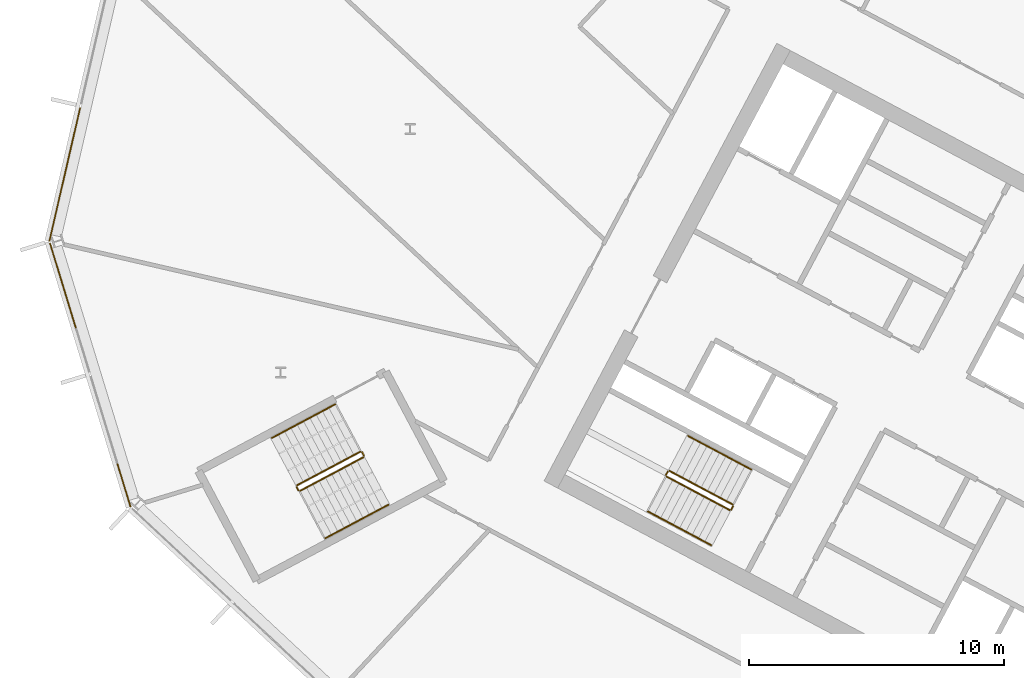
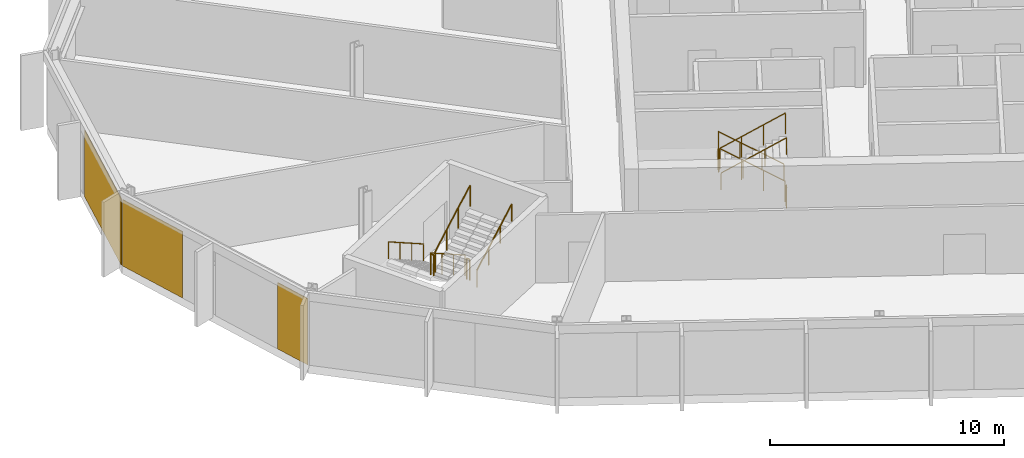
# One storey, part 24 of 31: 12 railings, 3 coverings, 2 elements without a shape of their own.
"""IFC4 building model written with IfcOpenShell, lengths in metres."""

from ifc_helpers import new_model, si_unit, direction, frame, origin, origin_2d, place, context, subcontext, project, spatial, polyline, rectangle, outline, extrude, material, layer, layer_set, type_object, element, aggregate, save


model = new_model("IFC4")

# Units and contexts
model_context = context("Model", 3, precision=1e-05, world=origin(), true_north=direction((0.0, 1.0)))
body_context = subcontext(model_context, "Body", "Model", "MODEL_VIEW")
ifc_project = project(units=[si_unit("LENGTHUNIT", "METRE"), si_unit("AREAUNIT", "SQUARE_METRE"), si_unit("VOLUMEUNIT", "CUBIC_METRE"), si_unit("PLANEANGLEUNIT", "RADIAN"), si_unit("MASSUNIT", "GRAM", prefix="KILO")], contexts=[model_context])

# Site, building, storey
site_placement = place(None, origin())
site = spatial("IfcSite", under=ifc_project, at=site_placement, CompositionType="ELEMENT")
building_placement = place(site_placement, origin())
building = spatial("IfcBuilding", under=site, at=building_placement, Name="Cormorant Relay Tower", CompositionType="ELEMENT")
storey_placement = place(building_placement, frame((0.0, 0.0, 189.60009765625)))
storey = spatial("IfcBuildingStorey", under=building, at=storey_placement, Name="L40", CompositionType="ELEMENT", Elevation=189.60009765625)

# Curtain wall, covering
ifc_material_1 = material(Name="Aluminium 6063-T6 anodised bronze", Category="aluminium")
ifc_layer_1 = layer(ifc_material_1, 0.199951171875)
ifc_layer_set_1 = layer_set([ifc_layer_1], Name="CW1 unitised bronze curtain wall with vertical fins")
curtain_wall_type = type_object("IfcCurtainWallType", Name="CW1 unitised bronze curtain wall with vertical fins", PredefinedType="NOTDEFINED", material=ifc_layer_set_1)
curtain_wall_1_placement = place(storey_placement, origin())
curtain_wall_1 = element("IfcCurtainWall", 1, at=curtain_wall_1_placement, inside=storey, type_object=curtain_wall_type, Name="CW1 curtain wall 13", PredefinedType="NOTDEFINED")
ifc_material_2 = material(Name="Pale bronze anodised aluminium insulated panel", Category="aluminium")
ifc_layer_2 = layer(ifc_material_2, 0.0400390625)
ifc_layer_set_2 = layer_set([ifc_layer_2], Name="CW1 pale bronze insulated panel 40")
covering_type = type_object("IfcCoveringType", Name="CW1 pale bronze insulated panel 40", PredefinedType="CLADDING", material=ifc_layer_set_2)
covering_1_placement = place(storey_placement, frame((-60.136474609375, 23.00927734375, 0.0), z_axis=(0.0, 0.0, 1.0), x_axis=(-0.224951054344, -0.974370064785, 0.0)))
covering_1 = element("IfcCovering", 2, at=covering_1_placement, type_object=covering_type, Name="CW1 panel S02", PredefinedType="CLADDING", context=body_context, shape_type="SweptSolid", body=[
    extrude(rectangle(XDim=5.360107421875, YDim=0.0400390625, at=origin_2d()), origin(), (0.0, 0.0, 1.0), 3.449951171875),
])
aggregate(curtain_wall_1, [covering_1])

# Curtain wall, coverings
curtain_wall_2_placement = place(storey_placement, origin())
curtain_wall_2 = element("IfcCurtainWall", 3, at=curtain_wall_2_placement, inside=storey, type_object=curtain_wall_type, Name="CW1 curtain wall 14", PredefinedType="NOTDEFINED")
covering_2_placement = place(storey_placement, frame((-60.20751953125, 18.6494140625, 0.0), z_axis=(0.0, 0.0, 1.0), x_axis=(0.292371704723, -0.956304755963, 0.0)))
covering_2 = element("IfcCovering", 4, at=covering_2_placement, type_object=covering_type, Name="CW1 panel S00", PredefinedType="CLADDING", context=body_context, shape_type="SweptSolid", body=[
    extrude(rectangle(XDim=3.485107421875, YDim=0.0400390625, at=origin_2d()), origin(), (0.0, 0.0, 1.0), 3.449951171875),
])
covering_3_placement = place(storey_placement, frame((-57.818115234375, 10.833740234375, 0.0), z_axis=(0.0, 0.0, 1.0), x_axis=(0.292371704723, -0.956304755963, 0.0)))
covering_3 = element("IfcCovering", 5, at=covering_3_placement, type_object=covering_type, Name="CW1 panel S03", PredefinedType="CLADDING", context=body_context, shape_type="SweptSolid", body=[
    extrude(rectangle(XDim=1.76025390625, YDim=0.0400390625, at=origin_2d()), origin(), (0.0, 0.0, 1.0), 3.449951171875),
])
aggregate(curtain_wall_2, [covering_2, covering_3])

# Railings
ifc_material_3 = material(Name="Steel ASTM A572 Grade 50 (Fy 345 MPa)", Category="steel")
railing_type_1 = type_object("IfcRailingType", Name="Stair guard 1100", PredefinedType="GUARDRAIL", material=ifc_material_3)
railing_1_placement = place(storey_placement, frame((-33.9921875, 10.08935546875, 0.17724609375)))
element("IfcRailing", 6, at=railing_1_placement, inside=storey, type_object=railing_type_1, Name="L40 A2 stair guard 1", PredefinedType="GUARDRAIL", context=body_context, shape_type="SweptSolid", body=[
    extrude(outline(polyline([(0.022216796875, 0.00927734375), (0.00927734375, 0.022216796875), (-0.00927734375, 0.022216796875), (-0.022216796875, 0.00927734375), (-0.022216796875, -0.00927734375), (-0.00927734375, -0.022216796875), (0.00927734375, -0.022216796875), (0.022216796875, -0.00927734375), (0.022216796875, 0.00927734375)])), frame((0.0, 0.0, 1.076171875), z_axis=(-0.746001213114, 0.396649272309, 0.534931345884), x_axis=(-0.469465464807, -0.882950835185, 0.0)), (0.0, 0.0, 1.0), 3.31396484375),
    extrude(outline(polyline([(0.019287109375, 0.008056640625), (0.008056640625, 0.019287109375), (-0.008056640625, 0.019287109375), (-0.019287109375, 0.008056640625), (-0.019287109375, -0.008056640625), (-0.008056640625, -0.019287109375), (0.008056640625, -0.019287109375), (0.019287109375, -0.008056640625), (0.019287109375, 0.008056640625)])), origin(), (0.0, 0.0, 1.0), 1.052001953125),
    extrude(outline(polyline([(0.019287109375, 0.008056640625), (0.008056640625, 0.019287109375), (-0.008056640625, 0.019287109375), (-0.019287109375, 0.008056640625), (-0.019287109375, -0.008056640625), (-0.008056640625, -0.019287109375), (0.008056640625, -0.019287109375), (0.019287109375, -0.008056640625), (0.019287109375, 0.008056640625)])), frame((-0.823974609375, 0.438232421875, 0.5908203125)), (0.0, 0.0, 1.0), 1.052001953125),
    extrude(outline(polyline([(0.019287109375, 0.008056640625), (0.008056640625, 0.019287109375), (-0.008056640625, 0.019287109375), (-0.019287109375, 0.008056640625), (-0.019287109375, -0.008056640625), (-0.008056640625, -0.019287109375), (0.008056640625, -0.019287109375), (0.019287109375, -0.008056640625), (0.019287109375, 0.008056640625)])), frame((-1.648193359375, 0.876220703125, 1.181884765625)), (0.0, 0.0, 1.0), 1.052001953125),
    extrude(outline(polyline([(0.019287109375, 0.008056640625), (0.008056640625, 0.019287109375), (-0.008056640625, 0.019287109375), (-0.019287109375, 0.008056640625), (-0.019287109375, -0.008056640625), (-0.008056640625, -0.019287109375), (0.008056640625, -0.019287109375), (0.019287109375, -0.008056640625), (0.019287109375, 0.008056640625)])), frame((-2.47216796875, 1.314453125, 1.772705078125)), (0.0, 0.0, 1.0), 1.052001953125),
])
railing_2_placement = place(storey_placement, frame((-36.531982421875, 11.38330078125, 1.949951171875)))
element("IfcRailing", 7, at=railing_2_placement, inside=storey, type_object=railing_type_1, Name="L40 A2 stair guard 2", PredefinedType="GUARDRAIL", context=body_context, shape_type="SweptSolid", body=[
    extrude(outline(polyline([(0.022216796875, 0.00927734375), (0.00927734375, 0.022216796875), (-0.00927734375, 0.022216796875), (-0.022216796875, 0.00927734375), (-0.022216796875, -0.00927734375), (-0.00927734375, -0.022216796875), (0.00927734375, -0.022216796875), (0.022216796875, -0.00927734375), (0.022216796875, 0.00927734375)])), frame((0.0, 0.0, 1.076171875), z_axis=(-0.469828648786, -0.882757634224, 0.0), x_axis=(0.882757634224, -0.469828648786, 0.0)), (0.0, 0.0, 1.0), 0.150146484375),
    extrude(outline(polyline([(0.019287109375, 0.008056640625), (0.008056640625, 0.019287109375), (-0.008056640625, 0.019287109375), (-0.019287109375, 0.008056640625), (-0.019287109375, -0.008056640625), (-0.008056640625, -0.019287109375), (0.008056640625, -0.019287109375), (0.019287109375, -0.008056640625), (0.019287109375, 0.008056640625)])), origin(), (0.0, 0.0, 1.0), 1.052001953125),
    extrude(outline(polyline([(0.019287109375, 0.008056640625), (0.008056640625, 0.019287109375), (-0.008056640625, 0.019287109375), (-0.019287109375, 0.008056640625), (-0.019287109375, -0.008056640625), (-0.008056640625, -0.019287109375), (0.008056640625, -0.019287109375), (0.019287109375, -0.008056640625), (0.019287109375, 0.008056640625)])), frame((-0.070556640625, -0.132568359375, 0.0)), (0.0, 0.0, 1.0), 1.052001953125),
])
railing_3_placement = place(storey_placement, frame((-36.581787109375, 11.18310546875, 2.127197265625)))
element("IfcRailing", 8, at=railing_3_placement, inside=storey, type_object=railing_type_1, Name="L40 A2 stair guard 3", PredefinedType="GUARDRAIL", context=body_context, shape_type="SweptSolid", body=[
    extrude(outline(polyline([(0.022216796875, 0.00927734375), (0.00927734375, 0.022216796875), (-0.00927734375, 0.022216796875), (-0.022216796875, 0.00927734375), (-0.022216796875, -0.00927734375), (-0.00927734375, -0.022216796875), (0.00927734375, -0.022216796875), (0.022216796875, -0.00927734375), (0.022216796875, 0.00927734375)])), frame((0.0, 0.0, 1.076171875), z_axis=(0.746001213114, -0.396649272309, 0.534931345884), x_axis=(0.469465464807, 0.882950835185, 0.0)), (0.0, 0.0, 1.0), 3.31396484375),
    extrude(outline(polyline([(0.019287109375, 0.008056640625), (0.008056640625, 0.019287109375), (-0.008056640625, 0.019287109375), (-0.019287109375, 0.008056640625), (-0.019287109375, -0.008056640625), (-0.008056640625, -0.019287109375), (0.008056640625, -0.019287109375), (0.019287109375, -0.008056640625), (0.019287109375, 0.008056640625)])), origin(), (0.0, 0.0, 1.0), 1.052001953125),
    extrude(outline(polyline([(0.019287109375, 0.008056640625), (0.008056640625, 0.019287109375), (-0.008056640625, 0.019287109375), (-0.019287109375, 0.008056640625), (-0.019287109375, -0.008056640625), (-0.008056640625, -0.019287109375), (0.008056640625, -0.019287109375), (0.019287109375, -0.008056640625), (0.019287109375, 0.008056640625)])), frame((0.823974609375, -0.438232421875, 0.5908203125)), (0.0, 0.0, 1.0), 1.052001953125),
    extrude(outline(polyline([(0.019287109375, 0.008056640625), (0.008056640625, 0.019287109375), (-0.008056640625, 0.019287109375), (-0.019287109375, 0.008056640625), (-0.019287109375, -0.008056640625), (-0.008056640625, -0.019287109375), (0.008056640625, -0.019287109375), (0.019287109375, -0.008056640625), (0.019287109375, 0.008056640625)])), frame((1.648193359375, -0.876220703125, 1.181884765625)), (0.0, 0.0, 1.0), 1.052001953125),
    extrude(outline(polyline([(0.019287109375, 0.008056640625), (0.008056640625, 0.019287109375), (-0.008056640625, 0.019287109375), (-0.019287109375, 0.008056640625), (-0.019287109375, -0.008056640625), (-0.008056640625, -0.019287109375), (0.008056640625, -0.019287109375), (0.019287109375, -0.008056640625), (0.019287109375, 0.008056640625)])), frame((2.47216796875, -1.314453125, 1.772705078125)), (0.0, 0.0, 1.0), 1.052001953125),
])
railing_4_placement = place(storey_placement, frame((-33.971435546875, 10.021728515625, 0.0)))
element("IfcRailing", 9, at=railing_4_placement, inside=storey, type_object=railing_type_1, Name="L40 A2 stair guard 4", PredefinedType="GUARDRAIL", context=body_context, shape_type="SweptSolid", body=[
    extrude(outline(polyline([(0.022216796875, 0.00927734375), (0.00927734375, 0.022216796875), (-0.00927734375, 0.022216796875), (-0.022216796875, 0.00927734375), (-0.022216796875, -0.00927734375), (-0.00927734375, -0.022216796875), (0.00927734375, -0.022216796875), (0.022216796875, -0.00927734375), (0.022216796875, 0.00927734375)])), frame((0.0, 0.0, 1.076171875), z_axis=(-0.470503732759, -0.882398003998, 0.0), x_axis=(0.882398003998, -0.470503732759, 0.0)), (0.0, 0.0, 1.0), 0.14990234375),
    extrude(outline(polyline([(0.019287109375, 0.008056640625), (0.008056640625, 0.019287109375), (-0.008056640625, 0.019287109375), (-0.019287109375, 0.008056640625), (-0.019287109375, -0.008056640625), (-0.008056640625, -0.019287109375), (0.008056640625, -0.019287109375), (0.019287109375, -0.008056640625), (0.019287109375, 0.008056640625)])), origin(), (0.0, 0.0, 1.0), 1.052001953125),
    extrude(outline(polyline([(0.019287109375, 0.008056640625), (0.008056640625, 0.019287109375), (-0.008056640625, 0.019287109375), (-0.019287109375, 0.008056640625), (-0.019287109375, -0.008056640625), (-0.008056640625, -0.019287109375), (0.008056640625, -0.019287109375), (0.019287109375, -0.008056640625), (0.019287109375, 0.008056640625)])), frame((-0.070556640625, -0.13232421875, 0.0)), (0.0, 0.0, 1.0), 1.052001953125),
])
railing_5_placement = place(storey_placement, frame((-48.5693359375, 12.155517578125, 0.17724609375)))
element("IfcRailing", 10, at=railing_5_placement, inside=storey, type_object=railing_type_1, Name="L40 RP1 stair guard 1", PredefinedType="GUARDRAIL", context=body_context, shape_type="SweptSolid", body=[
    extrude(outline(polyline([(0.022216796875, 0.00927734375), (0.00927734375, 0.022216796875), (-0.00927734375, 0.022216796875), (-0.022216796875, 0.00927734375), (-0.022216796875, -0.00927734375), (-0.00927734375, -0.022216796875), (0.00927734375, -0.022216796875), (0.022216796875, -0.00927734375), (0.022216796875, 0.00927734375)])), frame((0.0, 0.0, 1.076171875), z_axis=(-0.746012083385, -0.396689549623, 0.534886317514), x_axis=(0.469497295046, -0.882933910293, 0.0)), (0.0, 0.0, 1.0), 3.314208984375),
    extrude(outline(polyline([(0.019287109375, 0.008056640625), (0.008056640625, 0.019287109375), (-0.008056640625, 0.019287109375), (-0.019287109375, 0.008056640625), (-0.019287109375, -0.008056640625), (-0.008056640625, -0.019287109375), (0.008056640625, -0.019287109375), (0.019287109375, -0.008056640625), (0.019287109375, 0.008056640625)])), origin(), (0.0, 0.0, 1.0), 1.052001953125),
    extrude(outline(polyline([(0.019287109375, 0.008056640625), (0.008056640625, 0.019287109375), (-0.008056640625, 0.019287109375), (-0.019287109375, 0.008056640625), (-0.019287109375, -0.008056640625), (-0.008056640625, -0.019287109375), (0.008056640625, -0.019287109375), (0.019287109375, -0.008056640625), (0.019287109375, 0.008056640625)])), frame((-0.82421875, -0.438232421875, 0.5908203125)), (0.0, 0.0, 1.0), 1.052001953125),
    extrude(outline(polyline([(0.019287109375, 0.008056640625), (0.008056640625, 0.019287109375), (-0.008056640625, 0.019287109375), (-0.019287109375, 0.008056640625), (-0.019287109375, -0.008056640625), (-0.008056640625, -0.019287109375), (0.008056640625, -0.019287109375), (0.019287109375, -0.008056640625), (0.019287109375, 0.008056640625)])), frame((-1.648193359375, -0.87646484375, 1.181884765625)), (0.0, 0.0, 1.0), 1.052001953125),
    extrude(outline(polyline([(0.019287109375, 0.008056640625), (0.008056640625, 0.019287109375), (-0.008056640625, 0.019287109375), (-0.019287109375, 0.008056640625), (-0.019287109375, -0.008056640625), (-0.008056640625, -0.019287109375), (0.008056640625, -0.019287109375), (0.019287109375, -0.008056640625), (0.019287109375, 0.008056640625)])), frame((-2.472412109375, -1.314697265625, 1.772705078125)), (0.0, 0.0, 1.0), 1.052001953125),
])
railing_6_placement = place(storey_placement, frame((-51.062255859375, 10.773193359375, 1.949951171875)))
element("IfcRailing", 11, at=railing_6_placement, inside=storey, type_object=railing_type_1, Name="L40 RP1 stair guard 2", PredefinedType="GUARDRAIL", context=body_context, shape_type="SweptSolid", body=[
    extrude(outline(polyline([(0.022216796875, 0.00927734375), (0.00927734375, 0.022216796875), (-0.00927734375, 0.022216796875), (-0.022216796875, 0.00927734375), (-0.022216796875, -0.00927734375), (-0.00927734375, -0.022216796875), (0.00927734375, -0.022216796875), (0.022216796875, -0.00927734375), (0.022216796875, 0.00927734375)])), frame((0.0, 0.0, 1.076171875), z_axis=(0.469234640946, -0.883073525669, 0.0), x_axis=(0.883073525669, 0.469234640946, 0.0)), (0.0, 0.0, 1.0), 0.14990234375),
    extrude(outline(polyline([(0.019287109375, 0.008056640625), (0.008056640625, 0.019287109375), (-0.008056640625, 0.019287109375), (-0.019287109375, 0.008056640625), (-0.019287109375, -0.008056640625), (-0.008056640625, -0.019287109375), (0.008056640625, -0.019287109375), (0.019287109375, -0.008056640625), (0.019287109375, 0.008056640625)])), origin(), (0.0, 0.0, 1.0), 1.052001953125),
    extrude(outline(polyline([(0.019287109375, 0.008056640625), (0.008056640625, 0.019287109375), (-0.008056640625, 0.019287109375), (-0.019287109375, 0.008056640625), (-0.019287109375, -0.008056640625), (-0.008056640625, -0.019287109375), (0.008056640625, -0.019287109375), (0.019287109375, -0.008056640625), (0.019287109375, 0.008056640625)])), frame((0.0703125, -0.13232421875, 0.0)), (0.0, 0.0, 1.0), 1.052001953125),
])
railing_7_placement = place(storey_placement, frame((-50.92431640625, 10.6201171875, 2.127197265625)))
element("IfcRailing", 12, at=railing_7_placement, inside=storey, type_object=railing_type_1, Name="L40 RP1 stair guard 3", PredefinedType="GUARDRAIL", context=body_context, shape_type="SweptSolid", body=[
    extrude(outline(polyline([(0.022216796875, 0.00927734375), (0.00927734375, 0.022216796875), (-0.00927734375, 0.022216796875), (-0.022216796875, 0.00927734375), (-0.022216796875, -0.00927734375), (-0.00927734375, -0.022216796875), (0.00927734375, -0.022216796875), (0.022216796875, -0.00927734375), (0.022216796875, 0.00927734375)])), frame((0.0, 0.0, 1.076171875), z_axis=(0.746033882577, 0.396627473466, 0.534901947407), x_axis=(-0.469429322983, 0.882970050864, 0.0)), (0.0, 0.0, 1.0), 3.31396484375),
    extrude(outline(polyline([(0.019287109375, 0.008056640625), (0.008056640625, 0.019287109375), (-0.008056640625, 0.019287109375), (-0.019287109375, 0.008056640625), (-0.019287109375, -0.008056640625), (-0.008056640625, -0.019287109375), (0.008056640625, -0.019287109375), (0.019287109375, -0.008056640625), (0.019287109375, 0.008056640625)])), origin(), (0.0, 0.0, 1.0), 1.052001953125),
    extrude(outline(polyline([(0.019287109375, 0.008056640625), (0.008056640625, 0.019287109375), (-0.008056640625, 0.019287109375), (-0.019287109375, 0.008056640625), (-0.019287109375, -0.008056640625), (-0.008056640625, -0.019287109375), (0.008056640625, -0.019287109375), (0.019287109375, -0.008056640625), (0.019287109375, 0.008056640625)])), frame((0.82421875, 0.438232421875, 0.5908203125)), (0.0, 0.0, 1.0), 1.052001953125),
    extrude(outline(polyline([(0.019287109375, 0.008056640625), (0.008056640625, 0.019287109375), (-0.008056640625, 0.019287109375), (-0.019287109375, 0.008056640625), (-0.019287109375, -0.008056640625), (-0.008056640625, -0.019287109375), (0.008056640625, -0.019287109375), (0.019287109375, -0.008056640625), (0.019287109375, 0.008056640625)])), frame((1.648193359375, 0.876220703125, 1.181884765625)), (0.0, 0.0, 1.0), 1.052001953125),
    extrude(outline(polyline([(0.019287109375, 0.008056640625), (0.008056640625, 0.019287109375), (-0.008056640625, 0.019287109375), (-0.019287109375, 0.008056640625), (-0.019287109375, -0.008056640625), (-0.008056640625, -0.019287109375), (0.008056640625, -0.019287109375), (0.019287109375, -0.008056640625), (0.019287109375, 0.008056640625)])), frame((2.472412109375, 1.314453125, 1.772705078125)), (0.0, 0.0, 1.0), 1.052001953125),
])
railing_8_placement = place(storey_placement, frame((-48.501708984375, 12.134765625, 0.0)))
element("IfcRailing", 13, at=railing_8_placement, inside=storey, type_object=railing_type_1, Name="L40 RP1 stair guard 4", PredefinedType="GUARDRAIL", context=body_context, shape_type="SweptSolid", body=[
    extrude(outline(polyline([(0.022216796875, 0.00927734375), (0.00927734375, 0.022216796875), (-0.00927734375, 0.022216796875), (-0.022216796875, 0.00927734375), (-0.022216796875, -0.00927734375), (-0.00927734375, -0.022216796875), (0.00927734375, -0.022216796875), (0.022216796875, -0.00927734375), (0.022216796875, 0.00927734375)])), frame((0.0, 0.0, 1.076171875), z_axis=(0.46856034887, -0.8834314911, 0.0), x_axis=(0.8834314911, 0.46856034887, 0.0)), (0.0, 0.0, 1.0), 0.150146484375),
    extrude(outline(polyline([(0.019287109375, 0.008056640625), (0.008056640625, 0.019287109375), (-0.008056640625, 0.019287109375), (-0.019287109375, 0.008056640625), (-0.019287109375, -0.008056640625), (-0.008056640625, -0.019287109375), (0.008056640625, -0.019287109375), (0.019287109375, -0.008056640625), (0.019287109375, 0.008056640625)])), origin(), (0.0, 0.0, 1.0), 1.052001953125),
    extrude(outline(polyline([(0.019287109375, 0.008056640625), (0.008056640625, 0.019287109375), (-0.008056640625, 0.019287109375), (-0.019287109375, 0.008056640625), (-0.019287109375, -0.008056640625), (-0.008056640625, -0.019287109375), (0.008056640625, -0.019287109375), (0.019287109375, -0.008056640625), (0.019287109375, 0.008056640625)])), frame((0.0703125, -0.132568359375, 0.0)), (0.0, 0.0, 1.0), 1.052001953125),
])
ifc_material_4 = material(Name="Steel ASTM A572 Grade 50 (Fy 345 MPa)", Category="steel")
railing_type_2 = type_object("IfcRailingType", Name="Stair handrail 900", PredefinedType="HANDRAIL", material=ifc_material_4)
railing_9_placement = place(storey_placement, frame((-33.264404296875, 11.4580078125, 0.17724609375)))
element("IfcRailing", 14, at=railing_9_placement, inside=storey, type_object=railing_type_2, Name="L40 A2 stair handrail 1", PredefinedType="HANDRAIL", context=body_context, shape_type="SweptSolid", body=[
    extrude(outline(polyline([(0.022216796875, 0.00927734375), (0.00927734375, 0.022216796875), (-0.00927734375, 0.022216796875), (-0.022216796875, 0.00927734375), (-0.022216796875, -0.00927734375), (-0.00927734375, -0.022216796875), (0.00927734375, -0.022216796875), (0.022216796875, -0.00927734375), (0.022216796875, 0.00927734375)])), frame((0.0, 0.0, 0.8759765625), z_axis=(-0.746033882577, 0.396627473466, 0.534901947407), x_axis=(-0.469429322983, -0.882970050864, 0.0)), (0.0, 0.0, 1.0), 3.31396484375),
    extrude(outline(polyline([(0.019287109375, 0.008056640625), (0.008056640625, 0.019287109375), (-0.008056640625, 0.019287109375), (-0.019287109375, 0.008056640625), (-0.019287109375, -0.008056640625), (-0.008056640625, -0.019287109375), (0.008056640625, -0.019287109375), (0.019287109375, -0.008056640625), (0.019287109375, 0.008056640625)])), origin(), (0.0, 0.0, 1.0), 0.851806640625),
    extrude(outline(polyline([(0.019287109375, 0.008056640625), (0.008056640625, 0.019287109375), (-0.008056640625, 0.019287109375), (-0.019287109375, 0.008056640625), (-0.019287109375, -0.008056640625), (-0.008056640625, -0.019287109375), (0.008056640625, -0.019287109375), (0.019287109375, -0.008056640625), (0.019287109375, 0.008056640625)])), frame((-0.82421875, 0.438232421875, 0.5908203125)), (0.0, 0.0, 1.0), 0.851806640625),
    extrude(outline(polyline([(0.019287109375, 0.008056640625), (0.008056640625, 0.019287109375), (-0.008056640625, 0.019287109375), (-0.019287109375, 0.008056640625), (-0.019287109375, -0.008056640625), (-0.008056640625, -0.019287109375), (0.008056640625, -0.019287109375), (0.019287109375, -0.008056640625), (0.019287109375, 0.008056640625)])), frame((-1.648193359375, 0.876220703125, 1.181884765625)), (0.0, 0.0, 1.0), 0.851806640625),
    extrude(outline(polyline([(0.019287109375, 0.008056640625), (0.008056640625, 0.019287109375), (-0.008056640625, 0.019287109375), (-0.019287109375, 0.008056640625), (-0.019287109375, -0.008056640625), (-0.008056640625, -0.019287109375), (0.008056640625, -0.019287109375), (0.019287109375, -0.008056640625), (0.019287109375, 0.008056640625)])), frame((-2.472412109375, 1.314453125, 1.772705078125)), (0.0, 0.0, 1.0), 0.851806640625),
])
railing_10_placement = place(storey_placement, frame((-37.3095703125, 9.814453125, 2.127197265625)))
element("IfcRailing", 15, at=railing_10_placement, inside=storey, type_object=railing_type_2, Name="L40 A2 stair handrail 2", PredefinedType="HANDRAIL", context=body_context, shape_type="SweptSolid", body=[
    extrude(outline(polyline([(0.022216796875, 0.00927734375), (0.00927734375, 0.022216796875), (-0.00927734375, 0.022216796875), (-0.022216796875, 0.00927734375), (-0.022216796875, -0.00927734375), (-0.00927734375, -0.022216796875), (0.00927734375, -0.022216796875), (0.022216796875, -0.00927734375), (0.022216796875, 0.00927734375)])), frame((0.0, 0.0, 0.8759765625), z_axis=(0.746033882577, -0.396627473466, 0.534901947407), x_axis=(0.469429322983, 0.882970050864, 0.0)), (0.0, 0.0, 1.0), 3.31396484375),
    extrude(outline(polyline([(0.019287109375, 0.008056640625), (0.008056640625, 0.019287109375), (-0.008056640625, 0.019287109375), (-0.019287109375, 0.008056640625), (-0.019287109375, -0.008056640625), (-0.008056640625, -0.019287109375), (0.008056640625, -0.019287109375), (0.019287109375, -0.008056640625), (0.019287109375, 0.008056640625)])), origin(), (0.0, 0.0, 1.0), 0.851806640625),
    extrude(outline(polyline([(0.019287109375, 0.008056640625), (0.008056640625, 0.019287109375), (-0.008056640625, 0.019287109375), (-0.019287109375, 0.008056640625), (-0.019287109375, -0.008056640625), (-0.008056640625, -0.019287109375), (0.008056640625, -0.019287109375), (0.019287109375, -0.008056640625), (0.019287109375, 0.008056640625)])), frame((0.82421875, -0.438232421875, 0.5908203125)), (0.0, 0.0, 1.0), 0.851806640625),
    extrude(outline(polyline([(0.019287109375, 0.008056640625), (0.008056640625, 0.019287109375), (-0.008056640625, 0.019287109375), (-0.019287109375, 0.008056640625), (-0.019287109375, -0.008056640625), (-0.008056640625, -0.019287109375), (0.008056640625, -0.019287109375), (0.019287109375, -0.008056640625), (0.019287109375, 0.008056640625)])), frame((1.648193359375, -0.876220703125, 1.181884765625)), (0.0, 0.0, 1.0), 0.851806640625),
    extrude(outline(polyline([(0.019287109375, 0.008056640625), (0.008056640625, 0.019287109375), (-0.008056640625, 0.019287109375), (-0.019287109375, 0.008056640625), (-0.019287109375, -0.008056640625), (-0.008056640625, -0.019287109375), (0.008056640625, -0.019287109375), (0.019287109375, -0.008056640625), (0.019287109375, 0.008056640625)])), frame((2.472412109375, -1.314453125, 1.772705078125)), (0.0, 0.0, 1.0), 0.851806640625),
])
railing_11_placement = place(storey_placement, frame((-49.55517578125, 14.009521484375, 0.17724609375)))
element("IfcRailing", 16, at=railing_11_placement, inside=storey, type_object=railing_type_2, Name="L40 RP1 stair handrail 1", PredefinedType="HANDRAIL", context=body_context, shape_type="SweptSolid", body=[
    extrude(outline(polyline([(0.022216796875, 0.00927734375), (0.00927734375, 0.022216796875), (-0.00927734375, 0.022216796875), (-0.022216796875, 0.00927734375), (-0.022216796875, -0.00927734375), (-0.00927734375, -0.022216796875), (0.00927734375, -0.022216796875), (0.022216796875, -0.00927734375), (0.022216796875, 0.00927734375)])), frame((0.0, 0.0, 0.8759765625), z_axis=(-0.746033882577, -0.396627473466, 0.534901947407), x_axis=(0.469429322983, -0.882970050864, 0.0)), (0.0, 0.0, 1.0), 3.31396484375),
    extrude(outline(polyline([(0.019287109375, 0.008056640625), (0.008056640625, 0.019287109375), (-0.008056640625, 0.019287109375), (-0.019287109375, 0.008056640625), (-0.019287109375, -0.008056640625), (-0.008056640625, -0.019287109375), (0.008056640625, -0.019287109375), (0.019287109375, -0.008056640625), (0.019287109375, 0.008056640625)])), origin(), (0.0, 0.0, 1.0), 0.851806640625),
    extrude(outline(polyline([(0.019287109375, 0.008056640625), (0.008056640625, 0.019287109375), (-0.008056640625, 0.019287109375), (-0.019287109375, 0.008056640625), (-0.019287109375, -0.008056640625), (-0.008056640625, -0.019287109375), (0.008056640625, -0.019287109375), (0.019287109375, -0.008056640625), (0.019287109375, 0.008056640625)])), frame((-0.82421875, -0.438232421875, 0.5908203125)), (0.0, 0.0, 1.0), 0.851806640625),
    extrude(outline(polyline([(0.019287109375, 0.008056640625), (0.008056640625, 0.019287109375), (-0.008056640625, 0.019287109375), (-0.019287109375, 0.008056640625), (-0.019287109375, -0.008056640625), (-0.008056640625, -0.019287109375), (0.008056640625, -0.019287109375), (0.019287109375, -0.008056640625), (0.019287109375, 0.008056640625)])), frame((-1.648193359375, -0.876220703125, 1.181884765625)), (0.0, 0.0, 1.0), 0.851806640625),
    extrude(outline(polyline([(0.019287109375, 0.008056640625), (0.008056640625, 0.019287109375), (-0.008056640625, 0.019287109375), (-0.019287109375, 0.008056640625), (-0.019287109375, -0.008056640625), (-0.008056640625, -0.019287109375), (0.008056640625, -0.019287109375), (0.019287109375, -0.008056640625), (0.019287109375, 0.008056640625)])), frame((-2.472412109375, -1.314453125, 1.772705078125)), (0.0, 0.0, 1.0), 0.851806640625),
])
railing_12_placement = place(storey_placement, frame((-49.9384765625, 8.765869140625, 2.127197265625)))
element("IfcRailing", 17, at=railing_12_placement, inside=storey, type_object=railing_type_2, Name="L40 RP1 stair handrail 2", PredefinedType="HANDRAIL", context=body_context, shape_type="SweptSolid", body=[
    extrude(outline(polyline([(0.022216796875, 0.00927734375), (0.00927734375, 0.022216796875), (-0.00927734375, 0.022216796875), (-0.022216796875, 0.00927734375), (-0.022216796875, -0.00927734375), (-0.00927734375, -0.022216796875), (0.00927734375, -0.022216796875), (0.022216796875, -0.00927734375), (0.022216796875, 0.00927734375)])), frame((0.0, 0.0, 0.8759765625), z_axis=(0.746012083385, 0.396689549623, 0.534886317514), x_axis=(-0.469497295046, 0.882933910293, 0.0)), (0.0, 0.0, 1.0), 3.314208984375),
    extrude(outline(polyline([(0.019287109375, 0.008056640625), (0.008056640625, 0.019287109375), (-0.008056640625, 0.019287109375), (-0.019287109375, 0.008056640625), (-0.019287109375, -0.008056640625), (-0.008056640625, -0.019287109375), (0.008056640625, -0.019287109375), (0.019287109375, -0.008056640625), (0.019287109375, 0.008056640625)])), origin(), (0.0, 0.0, 1.0), 0.851806640625),
    extrude(outline(polyline([(0.019287109375, 0.008056640625), (0.008056640625, 0.019287109375), (-0.008056640625, 0.019287109375), (-0.019287109375, 0.008056640625), (-0.019287109375, -0.008056640625), (-0.008056640625, -0.019287109375), (0.008056640625, -0.019287109375), (0.019287109375, -0.008056640625), (0.019287109375, 0.008056640625)])), frame((0.82421875, 0.438232421875, 0.5908203125)), (0.0, 0.0, 1.0), 0.851806640625),
    extrude(outline(polyline([(0.019287109375, 0.008056640625), (0.008056640625, 0.019287109375), (-0.008056640625, 0.019287109375), (-0.019287109375, 0.008056640625), (-0.019287109375, -0.008056640625), (-0.008056640625, -0.019287109375), (0.008056640625, -0.019287109375), (0.019287109375, -0.008056640625), (0.019287109375, 0.008056640625)])), frame((1.648193359375, 0.87646484375, 1.181884765625)), (0.0, 0.0, 1.0), 0.851806640625),
    extrude(outline(polyline([(0.019287109375, 0.008056640625), (0.008056640625, 0.019287109375), (-0.008056640625, 0.019287109375), (-0.019287109375, 0.008056640625), (-0.019287109375, -0.008056640625), (-0.008056640625, -0.019287109375), (0.008056640625, -0.019287109375), (0.019287109375, -0.008056640625), (0.019287109375, 0.008056640625)])), frame((2.472412109375, 1.314697265625, 1.772705078125)), (0.0, 0.0, 1.0), 0.851806640625),
])

save(model, "model.ifc")
